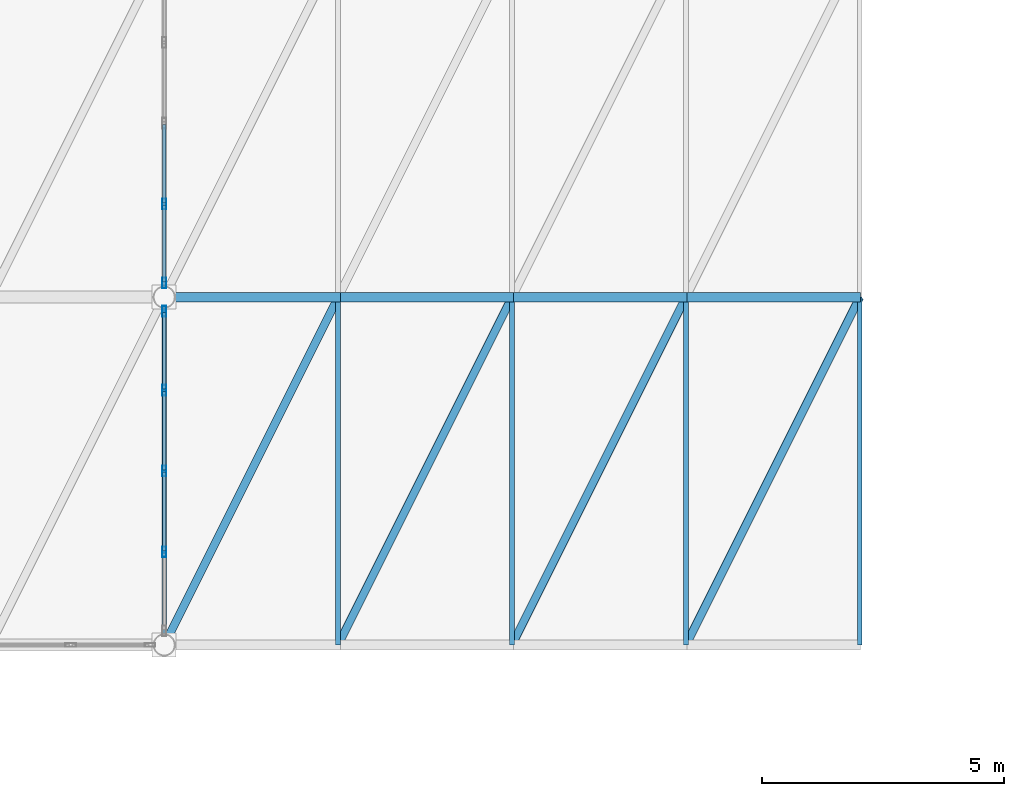
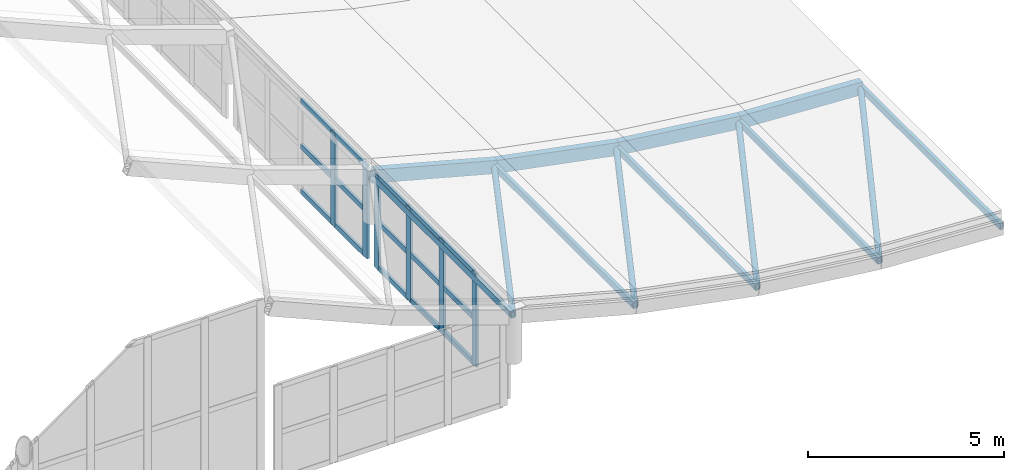
# One storey, part 65 of 153: 30 members, 4 beams, 2 elements without a shape of their own.
"""IFC4 building model written with IfcOpenShell, lengths in metres."""

from ifc_helpers import new_model, si_unit, direction, frame, origin, origin_2d, place, context, subcontext, project, spatial, hollow_rectangle, hollow_circle, extrude, material, material_profile, profile_set, type_object, element, aggregate, save


model = new_model("IFC4")

# Units and contexts
model_context = context("Model", 3, precision=1e-05, world=origin(), true_north=direction((0.0, 1.0)))
body_context = subcontext(model_context, "Body", "Model", "MODEL_VIEW")
ifc_project = project(units=[si_unit("LENGTHUNIT", "METRE"), si_unit("AREAUNIT", "SQUARE_METRE"), si_unit("VOLUMEUNIT", "CUBIC_METRE"), si_unit("PLANEANGLEUNIT", "RADIAN"), si_unit("MASSUNIT", "GRAM", prefix="KILO")], contexts=[model_context])

# Site, building, storey
site_placement = place(None, origin())
site = spatial("IfcSite", under=ifc_project, at=site_placement, CompositionType="ELEMENT")
building_placement = place(site_placement, origin())
building = spatial("IfcBuilding", under=site, at=building_placement, Name="Qandorah Velis Arena", CompositionType="ELEMENT")
storey_placement = place(building_placement, frame((0.0, 0.0, 5.39990234375)))
storey = spatial("IfcBuildingStorey", under=building, at=storey_placement, Name="L01", CompositionType="ELEMENT", Elevation=5.39990234375)

# Curtain wall, members
ifc_material_1 = material(Name="Solar-control low-E double glazing", Category="glass")
curtain_wall_type_1 = type_object("IfcCurtainWallType", Name="ARC-CW-SYS06", PredefinedType="USERDEFINED", material=ifc_material_1)
curtain_wall_1_placement = place(storey_placement, origin())
curtain_wall_1 = element("IfcCurtainWall", 1, at=curtain_wall_1_placement, inside=storey, type_object=curtain_wall_type_1, Name="Unitised curtain wall FOY-UP-5", ObjectType="UNITISED CURTAIN WALL", PredefinedType="USERDEFINED")
ifc_material_2 = material(Name="Champagne-bronze anodized aluminium 6063-T6", Category="aluminium")
ifc_material_profile_1 = material_profile(ifc_material_2, hollow_rectangle(XDim=0.074951171875, YDim=0.219970703125, WallThickness=0.00390625, at=origin_2d()), Name="ALU MULLION 75x220")
ifc_profile_set_1 = profile_set([ifc_material_profile_1], Name="Champagne-bronze anodized aluminium 6063-T6")
member_type_1 = type_object("IfcMemberType", Name="ARC-CWM-220", PredefinedType="MULLION", material=ifc_profile_set_1)
member_1_placement = place(storey_placement, frame((144.0, 16.32666015625, -1.3349609375), z_axis=(0.0, 0.0, 1.0), x_axis=(-1.0, 0.0, 0.0)))
member_1 = element("IfcMember", 2, at=member_1_placement, type_object=member_type_1, Name="CW06 mullion 2", PredefinedType="MULLION", context=body_context, shape_type="SweptSolid", body=[
    extrude(hollow_rectangle(XDim=0.074951171875, YDim=0.219970703125, WallThickness=0.00390625, at=origin_2d()), origin(), (0.0, 0.0, 1.0), 2.918701171875),
])
member_2_placement = place(storey_placement, frame((144.0, 18.0, -1.3349609375), z_axis=(0.0, 0.0, 1.0), x_axis=(-1.0, 0.0, 0.0)))
member_2 = element("IfcMember", 3, at=member_2_placement, type_object=member_type_1, Name="CW06 mullion 3", PredefinedType="MULLION", context=body_context, shape_type="SweptSolid", body=[
    extrude(hollow_rectangle(XDim=0.074951171875, YDim=0.219970703125, WallThickness=0.00390625, at=origin_2d()), origin(), (0.0, 0.0, 1.0), 2.918701171875),
])
member_3_placement = place(storey_placement, frame((144.0, 19.67333984375, -1.3349609375), z_axis=(0.0, 0.0, 1.0), x_axis=(-1.0, 0.0, 0.0)))
member_3 = element("IfcMember", 4, at=member_3_placement, type_object=member_type_1, Name="CW06 mullion 4", PredefinedType="MULLION", context=body_context, shape_type="SweptSolid", body=[
    extrude(hollow_rectangle(XDim=0.074951171875, YDim=0.219970703125, WallThickness=0.00390625, at=origin_2d()), origin(), (0.0, 0.0, 1.0), 2.918701171875),
])
member_4_placement = place(storey_placement, frame((144.0, 21.30908203125, -1.3349609375), z_axis=(0.0, 0.0, 1.0), x_axis=(-1.0, 0.0, 0.0)))
member_4 = element("IfcMember", 5, at=member_4_placement, type_object=member_type_1, Name="CW06 mullion 5", PredefinedType="MULLION", context=body_context, shape_type="SweptSolid", body=[
    extrude(hollow_rectangle(XDim=0.074951171875, YDim=0.219970703125, WallThickness=0.00390625, at=origin_2d()), origin(), (0.0, 0.0, 1.0), 2.918701171875),
])

curtain_wall_type_2 = type_object("IfcCurtainWallType", Name="ARC-CW-SYS07", PredefinedType="USERDEFINED", material=ifc_material_1)
curtain_wall_2_placement = place(storey_placement, origin())
curtain_wall_2 = element("IfcCurtainWall", 6, at=curtain_wall_2_placement, inside=storey, type_object=curtain_wall_type_2, Name="Unitised curtain wall FOY-UP-6", ObjectType="UNITISED CURTAIN WALL", PredefinedType="USERDEFINED")
member_5_placement = place(storey_placement, frame((144.0, 21.89111328125, -1.3349609375), z_axis=(0.0, 0.0, 1.0), x_axis=(-1.0, 0.0, 0.0)))
member_5 = element("IfcMember", 7, at=member_5_placement, type_object=member_type_1, Name="CW07 mullion 1", PredefinedType="MULLION", context=body_context, shape_type="SweptSolid", body=[
    extrude(hollow_rectangle(XDim=0.074951171875, YDim=0.219970703125, WallThickness=0.00390625, at=origin_2d()), origin(), (0.0, 0.0, 1.0), 2.918701171875),
])
member_6_placement = place(storey_placement, frame((144.0, 23.52685546875, -1.3349609375), z_axis=(0.0, 0.0, 1.0), x_axis=(-1.0, 0.0, 0.0)))
member_6 = element("IfcMember", 8, at=member_6_placement, type_object=member_type_1, Name="CW07 mullion 2", PredefinedType="MULLION", context=body_context, shape_type="SweptSolid", body=[
    extrude(hollow_rectangle(XDim=0.074951171875, YDim=0.219970703125, WallThickness=0.00390625, at=origin_2d()), origin(), (0.0, 0.0, 1.0), 2.918701171875),
])

# Member
ifc_material_profile_2 = material_profile(ifc_material_2, hollow_rectangle(XDim=0.074951171875, YDim=0.159912109375, WallThickness=0.00341796875, at=origin_2d()), Name="ALU TRANSOM 75x160")
ifc_profile_set_2 = profile_set([ifc_material_profile_2], Name="Champagne-bronze anodized aluminium 6063-T6")
member_type_2 = type_object("IfcMemberType", Name="ARC-CWT-160", PredefinedType="USERDEFINED", material=ifc_profile_set_2)
member_7_placement = place(storey_placement, frame((144.0, 16.352294921875, -1.282470703125), z_axis=(0.0, 1.0, 0.0), x_axis=(-1.0, 0.0, 0.0)))
member_7 = element("IfcMember", 9, at=member_7_placement, type_object=member_type_2, Name="CW06 transom 2.1", ObjectType="TRANSOM", PredefinedType="USERDEFINED", context=body_context, shape_type="SweptSolid", body=[
    extrude(hollow_rectangle(XDim=0.074951171875, YDim=0.159912109375, WallThickness=0.00341796875, at=origin_2d()), origin(), (0.0, 0.0, 1.0), 1.622314453125),
])

member_8_placement = place(storey_placement, frame((144.0, 16.352294921875, 0.12451171875), z_axis=(0.0, 1.0, 0.0), x_axis=(-1.0, 0.0, 0.0)))
member_8 = element("IfcMember", 10, at=member_8_placement, type_object=member_type_2, Name="CW06 transom 2.2", ObjectType="TRANSOM", PredefinedType="USERDEFINED", context=body_context, shape_type="SweptSolid", body=[
    extrude(hollow_rectangle(XDim=0.074951171875, YDim=0.159912109375, WallThickness=0.00341796875, at=origin_2d()), origin(), (0.0, 0.0, 1.0), 1.622314453125),
])

member_9_placement = place(storey_placement, frame((144.0, 16.352294921875, 1.53125), z_axis=(0.0, 1.0, 0.0), x_axis=(-1.0, 0.0, 0.0)))
member_9 = element("IfcMember", 11, at=member_9_placement, type_object=member_type_2, Name="CW06 transom 2.3", ObjectType="TRANSOM", PredefinedType="USERDEFINED", context=body_context, shape_type="SweptSolid", body=[
    extrude(hollow_rectangle(XDim=0.074951171875, YDim=0.159912109375, WallThickness=0.00341796875, at=origin_2d()), origin(), (0.0, 0.0, 1.0), 1.622314453125),
])

member_10_placement = place(storey_placement, frame((144.0, 18.025390625, -1.282470703125), z_axis=(0.0, 1.0, 0.0), x_axis=(-1.0, 0.0, 0.0)))
member_10 = element("IfcMember", 12, at=member_10_placement, type_object=member_type_2, Name="CW06 transom 3.1", ObjectType="TRANSOM", PredefinedType="USERDEFINED", context=body_context, shape_type="SweptSolid", body=[
    extrude(hollow_rectangle(XDim=0.074951171875, YDim=0.159912109375, WallThickness=0.00341796875, at=origin_2d()), origin(), (0.0, 0.0, 1.0), 1.622314453125),
])

member_11_placement = place(storey_placement, frame((144.0, 18.025390625, 0.12451171875), z_axis=(0.0, 1.0, 0.0), x_axis=(-1.0, 0.0, 0.0)))
member_11 = element("IfcMember", 13, at=member_11_placement, type_object=member_type_2, Name="CW06 transom 3.2", ObjectType="TRANSOM", PredefinedType="USERDEFINED", context=body_context, shape_type="SweptSolid", body=[
    extrude(hollow_rectangle(XDim=0.074951171875, YDim=0.159912109375, WallThickness=0.00341796875, at=origin_2d()), origin(), (0.0, 0.0, 1.0), 1.622314453125),
])

member_12_placement = place(storey_placement, frame((144.0, 18.025390625, 1.53125), z_axis=(0.0, 1.0, 0.0), x_axis=(-1.0, 0.0, 0.0)))
member_12 = element("IfcMember", 14, at=member_12_placement, type_object=member_type_2, Name="CW06 transom 3.3", ObjectType="TRANSOM", PredefinedType="USERDEFINED", context=body_context, shape_type="SweptSolid", body=[
    extrude(hollow_rectangle(XDim=0.074951171875, YDim=0.159912109375, WallThickness=0.00341796875, at=origin_2d()), origin(), (0.0, 0.0, 1.0), 1.622314453125),
])

member_13_placement = place(storey_placement, frame((144.0, 19.69873046875, -1.282470703125), z_axis=(0.0, 1.0, 0.0), x_axis=(-1.0, 0.0, 0.0)))
member_13 = element("IfcMember", 15, at=member_13_placement, type_object=member_type_2, Name="CW06 transom 4.1", ObjectType="TRANSOM", PredefinedType="USERDEFINED", context=body_context, shape_type="SweptSolid", body=[
    extrude(hollow_rectangle(XDim=0.074951171875, YDim=0.159912109375, WallThickness=0.00341796875, at=origin_2d()), origin(), (0.0, 0.0, 1.0), 1.584716796875),
])

member_14_placement = place(storey_placement, frame((144.0, 19.69873046875, 0.12451171875), z_axis=(0.0, 1.0, 0.0), x_axis=(-1.0, 0.0, 0.0)))
member_14 = element("IfcMember", 16, at=member_14_placement, type_object=member_type_2, Name="CW06 transom 4.2", ObjectType="TRANSOM", PredefinedType="USERDEFINED", context=body_context, shape_type="SweptSolid", body=[
    extrude(hollow_rectangle(XDim=0.074951171875, YDim=0.159912109375, WallThickness=0.00341796875, at=origin_2d()), origin(), (0.0, 0.0, 1.0), 1.584716796875),
])

member_15_placement = place(storey_placement, frame((144.0, 19.69873046875, 1.53125), z_axis=(0.0, 1.0, 0.0), x_axis=(-1.0, 0.0, 0.0)))
member_15 = element("IfcMember", 17, at=member_15_placement, type_object=member_type_2, Name="CW06 transom 4.3", ObjectType="TRANSOM", PredefinedType="USERDEFINED", context=body_context, shape_type="SweptSolid", body=[
    extrude(hollow_rectangle(XDim=0.074951171875, YDim=0.159912109375, WallThickness=0.00341796875, at=origin_2d()), origin(), (0.0, 0.0, 1.0), 1.584716796875),
])

aggregate(curtain_wall_1, [member_1, member_2, member_3, member_4, member_7, member_8, member_9, member_10, member_11, member_12, member_13, member_14, member_15])

member_16_placement = place(storey_placement, frame((144.0, 21.91650390625, -1.282470703125), z_axis=(0.0, 1.0, 0.0), x_axis=(-1.0, 0.0, 0.0)))
member_16 = element("IfcMember", 18, at=member_16_placement, type_object=member_type_2, Name="CW07 transom 1.1", ObjectType="TRANSOM", PredefinedType="USERDEFINED", context=body_context, shape_type="SweptSolid", body=[
    extrude(hollow_rectangle(XDim=0.074951171875, YDim=0.159912109375, WallThickness=0.00341796875, at=origin_2d()), origin(), (0.0, 0.0, 1.0), 1.584716796875),
])

member_17_placement = place(storey_placement, frame((144.0, 21.91650390625, 0.12451171875), z_axis=(0.0, 1.0, 0.0), x_axis=(-1.0, 0.0, 0.0)))
member_17 = element("IfcMember", 19, at=member_17_placement, type_object=member_type_2, Name="CW07 transom 1.2", ObjectType="TRANSOM", PredefinedType="USERDEFINED", context=body_context, shape_type="SweptSolid", body=[
    extrude(hollow_rectangle(XDim=0.074951171875, YDim=0.159912109375, WallThickness=0.00341796875, at=origin_2d()), origin(), (0.0, 0.0, 1.0), 1.584716796875),
])

member_18_placement = place(storey_placement, frame((144.0, 21.91650390625, 1.53125), z_axis=(0.0, 1.0, 0.0), x_axis=(-1.0, 0.0, 0.0)))
member_18 = element("IfcMember", 20, at=member_18_placement, type_object=member_type_2, Name="CW07 transom 1.3", ObjectType="TRANSOM", PredefinedType="USERDEFINED", context=body_context, shape_type="SweptSolid", body=[
    extrude(hollow_rectangle(XDim=0.074951171875, YDim=0.159912109375, WallThickness=0.00341796875, at=origin_2d()), origin(), (0.0, 0.0, 1.0), 1.584716796875),
])

member_19_placement = place(storey_placement, frame((144.0, 23.55224609375, -1.282470703125), z_axis=(0.0, 1.0, 0.0), x_axis=(-1.0, 0.0, 0.0)))
member_19 = element("IfcMember", 21, at=member_19_placement, type_object=member_type_2, Name="CW07 transom 2.1", ObjectType="TRANSOM", PredefinedType="USERDEFINED", context=body_context, shape_type="SweptSolid", body=[
    extrude(hollow_rectangle(XDim=0.074951171875, YDim=0.159912109375, WallThickness=0.00341796875, at=origin_2d()), origin(), (0.0, 0.0, 1.0), 1.622314453125),
])

member_20_placement = place(storey_placement, frame((144.0, 23.55224609375, 0.12451171875), z_axis=(0.0, 1.0, 0.0), x_axis=(-1.0, 0.0, 0.0)))
member_20 = element("IfcMember", 22, at=member_20_placement, type_object=member_type_2, Name="CW07 transom 2.2", ObjectType="TRANSOM", PredefinedType="USERDEFINED", context=body_context, shape_type="SweptSolid", body=[
    extrude(hollow_rectangle(XDim=0.074951171875, YDim=0.159912109375, WallThickness=0.00341796875, at=origin_2d()), origin(), (0.0, 0.0, 1.0), 1.622314453125),
])

member_21_placement = place(storey_placement, frame((144.0, 23.55224609375, 1.53125), z_axis=(0.0, 1.0, 0.0), x_axis=(-1.0, 0.0, 0.0)))
member_21 = element("IfcMember", 23, at=member_21_placement, type_object=member_type_2, Name="CW07 transom 2.3", ObjectType="TRANSOM", PredefinedType="USERDEFINED", context=body_context, shape_type="SweptSolid", body=[
    extrude(hollow_rectangle(XDim=0.074951171875, YDim=0.159912109375, WallThickness=0.00341796875, at=origin_2d()), origin(), (0.0, 0.0, 1.0), 1.622314453125),
])

aggregate(curtain_wall_2, [member_5, member_6, member_16, member_17, member_18, member_19, member_20, member_21])

# Beams
ifc_material_3 = material(Name="Steel S355", Category="steel")
ifc_material_profile_3 = material_profile(ifc_material_3, hollow_rectangle(XDim=0.199951171875, YDim=0.39990234375, WallThickness=0.01611328125, at=origin_2d()), Name="RHS 400x200x16")
ifc_profile_set_3 = profile_set([ifc_material_profile_3], Name="Steel S355")
beam_type = type_object("IfcBeamType", Name="STR-CRB-RHS400", PredefinedType="USERDEFINED", material=ifc_profile_set_3)
beam_1_placement = place(storey_placement, frame((144.0, 21.60009765625, 1.388916015625), z_axis=(0.966010590095, 0.0, -0.258502494813), x_axis=(0.0, 1.0, 0.0)))
element("IfcBeam", 24, at=beam_1_placement, inside=storey, type_object=beam_type, Name="Sweeping canopy rib CRB-2.09", ObjectType="ROOF TRUSS", PredefinedType="USERDEFINED", context=body_context, shape_type="SweptSolid", body=[
    extrude(hollow_rectangle(XDim=0.199951171875, YDim=0.39990234375, WallThickness=0.01611328125, at=origin_2d()), origin(), (0.0, 0.0, 1.0), 3.726806640625),
])
beam_2_placement = place(storey_placement, frame((147.60009765625, 21.60009765625, 0.425537109375), z_axis=(0.981815497393, 0.0, -0.18983763873), x_axis=(0.0, 1.0, 0.0)))
element("IfcBeam", 25, at=beam_2_placement, inside=storey, type_object=beam_type, Name="Sweeping canopy rib CRB-2.10", ObjectType="ROOF TRUSS", PredefinedType="USERDEFINED", context=body_context, shape_type="SweptSolid", body=[
    extrude(hollow_rectangle(XDim=0.199951171875, YDim=0.39990234375, WallThickness=0.01611328125, at=origin_2d()), origin(), (0.0, 0.0, 1.0), 3.66650390625),
])
beam_3_placement = place(storey_placement, frame((151.199951171875, 21.60009765625, -0.2705078125), z_axis=(0.992623962298, 0.0, -0.121233945212), x_axis=(0.0, 1.0, 0.0)))
element("IfcBeam", 26, at=beam_3_placement, inside=storey, type_object=beam_type, Name="Sweeping canopy rib CRB-2.11", ObjectType="ROOF TRUSS", PredefinedType="USERDEFINED", context=body_context, shape_type="SweptSolid", body=[
    extrude(hollow_rectangle(XDim=0.199951171875, YDim=0.39990234375, WallThickness=0.01611328125, at=origin_2d()), origin(), (0.0, 0.0, 1.0), 3.626953125),
])
beam_4_placement = place(storey_placement, frame((154.800048828125, 21.60009765625, -0.710205078125), z_axis=(0.99861445971, 0.0, -0.0526228169), x_axis=(0.0, 1.0, 0.0)))
element("IfcBeam", 27, at=beam_4_placement, inside=storey, type_object=beam_type, Name="Sweeping canopy rib CRB-2.12", ObjectType="ROOF TRUSS", PredefinedType="USERDEFINED", context=body_context, shape_type="SweptSolid", body=[
    extrude(hollow_rectangle(XDim=0.199951171875, YDim=0.39990234375, WallThickness=0.01611328125, at=origin_2d()), origin(), (0.0, 0.0, 1.0), 3.604736328125),
])

# Members
ifc_material_profile_4 = material_profile(ifc_material_3, hollow_rectangle(XDim=0.10009765625, YDim=0.199951171875, WallThickness=0.008056640625, at=origin_2d()), Name="RHS 200x100x8")
ifc_profile_set_4 = profile_set([ifc_material_profile_4], Name="Steel S355")
member_type_3 = type_object("IfcMemberType", Name="STR-PRL-RHS200", PredefinedType="PURLIN", material=ifc_profile_set_4)
for number, where, z_axis, x_axis, name in (
    (28, (144.0, 14.39990234375, 1.388916015625), (0.0, 1.0, 0.0), (-1.0, 0.0, 0.0), "Canopy cross purlin CPR-1.08"),
    (29, (147.60009765625, 14.39990234375, 0.425537109375), (0.0, 1.0, 0.0), (-1.0, 0.0, 0.0), "Canopy cross purlin CPR-1.09"),
    (30, (151.199951171875, 14.39990234375, -0.2705078125), (0.0, 1.0, 0.0), (-1.0, 0.0, 0.0), "Canopy cross purlin CPR-1.10"),
    (31, (154.800048828125, 14.39990234375, -0.710205078125), (0.0, 1.0, 0.0), (-1.0, 0.0, 0.0), "Canopy cross purlin CPR-1.11"),
    (32, (158.39990234375, 14.39990234375, -0.89990234375), (0.0, 1.0, 0.0), (-1.0, 0.0, 0.0), "Canopy cross purlin CPR-1.12"),
):
    element("IfcMember", number, at=place(storey_placement, frame(where, z_axis=z_axis, x_axis=x_axis)), inside=storey, type_object=member_type_3, Name=name, PredefinedType="PURLIN", context=body_context, shape_type="SweptSolid", body=[
        extrude(hollow_rectangle(XDim=0.10009765625, YDim=0.199951171875, WallThickness=0.008056640625, at=origin_2d()), origin(), (0.0, 0.0, 1.0), 7.2001953125),
    ])
ifc_material_profile_5 = material_profile(ifc_material_3, hollow_circle(Radius=0.084228515625, WallThickness=0.008056640625, at=origin_2d()), Name="CHS 168.3x8")
ifc_profile_set_5 = profile_set([ifc_material_profile_5], Name="Steel S355")
member_type_4 = type_object("IfcMemberType", Name="STR-SFD-CHS168X8", PredefinedType="STRUT", material=ifc_profile_set_5)
member_22_placement = place(storey_placement, frame((144.0, 14.39990234375, 1.388916015625), z_axis=(0.444045150617, 0.888090301234, -0.118825590963), x_axis=(-0.894427191, 0.4472135955, 0.0)))
element("IfcMember", 33, at=member_22_placement, inside=storey, type_object=member_type_4, Name="Canopy roof plane diagonal CDG-1.09", PredefinedType="STRUT", context=body_context, shape_type="SweptSolid", body=[
    extrude(hollow_circle(Radius=0.084228515625, WallThickness=0.008056640625, at=origin_2d()), origin(), (0.0, 0.0, 1.0), 8.107421875),
])
member_23_placement = place(storey_placement, frame((147.60009765625, 14.39990234375, 0.425537109375), z_axis=(0.445526983402, 0.891114397728, -0.08614428143), x_axis=(-0.894439321951, 0.447189332774, 0.0)))
element("IfcMember", 34, at=member_23_placement, inside=storey, type_object=member_type_4, Name="Canopy roof plane diagonal CDG-1.10", PredefinedType="STRUT", context=body_context, shape_type="SweptSolid", body=[
    extrude(hollow_circle(Radius=0.084228515625, WallThickness=0.008056640625, at=origin_2d()), origin(), (0.0, 0.0, 1.0), 8.080078125),
])
member_24_placement = place(storey_placement, frame((151.199951171875, 14.39990234375, -0.2705078125), z_axis=(0.446547979825, 0.893095959651, -0.05453905545), x_axis=(-0.894427191, 0.4472135955, 0.0)))
element("IfcMember", 35, at=member_24_placement, inside=storey, type_object=member_type_4, Name="Canopy roof plane diagonal CDG-1.11", PredefinedType="STRUT", context=body_context, shape_type="SweptSolid", body=[
    extrude(hollow_circle(Radius=0.084228515625, WallThickness=0.008056640625, at=origin_2d()), origin(), (0.0, 0.0, 1.0), 8.06201171875),
])
member_25_placement = place(storey_placement, frame((154.800048828125, 14.39990234375, -0.710205078125), z_axis=(0.447065220148, 0.894191079865, -0.023558472435), x_axis=(-0.894439321951, 0.447189332774, 0.0)))
element("IfcMember", 36, at=member_25_placement, inside=storey, type_object=member_type_4, Name="Canopy roof plane diagonal CDG-1.12", PredefinedType="STRUT", context=body_context, shape_type="SweptSolid", body=[
    extrude(hollow_circle(Radius=0.084228515625, WallThickness=0.008056640625, at=origin_2d()), origin(), (0.0, 0.0, 1.0), 8.05224609375),
])

save(model, "model.ifc")
